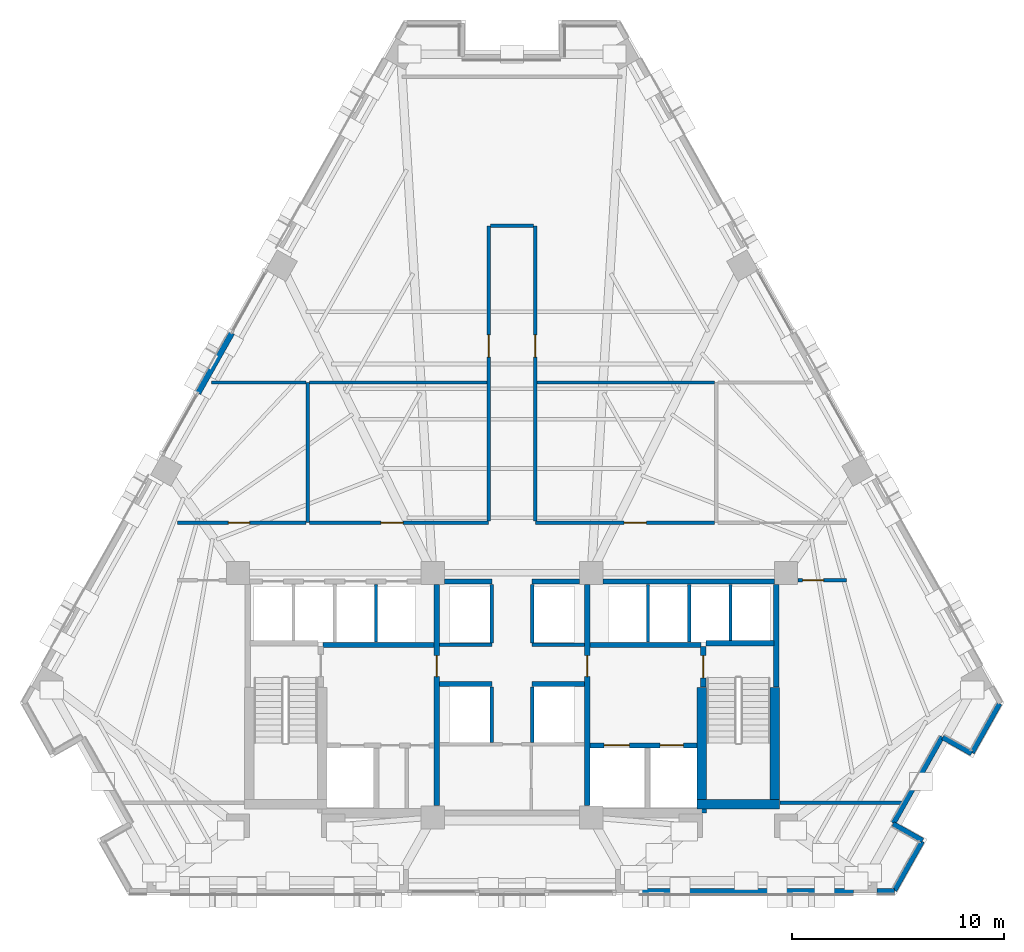
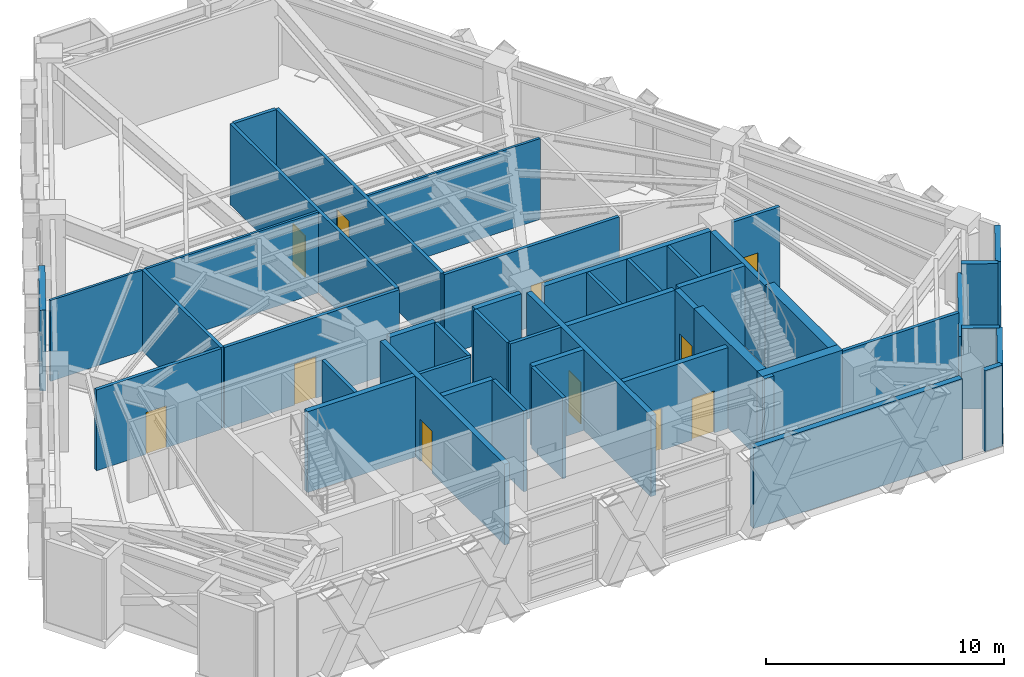
# One storey, part 7 of 12: 46 walls, 11 doors, 11 openings.
"""IFC4 building model written with IfcOpenShell, lengths in metres."""

from ifc_helpers import new_model, si_unit, direction, frame, frame_2d, origin, place, context, subcontext, project, spatial, rectangle, extrude, material, layer, layer_set, type_object, element, fill, save


model = new_model("IFC4")

# Units and contexts
model_context = context("Model", 3, precision=1e-05, world=origin(), true_north=direction((0.0, 1.0)))
body_context = subcontext(model_context, "Body", "Model", "MODEL_VIEW")
ifc_project = project(units=[si_unit("LENGTHUNIT", "METRE"), si_unit("AREAUNIT", "SQUARE_METRE"), si_unit("VOLUMEUNIT", "CUBIC_METRE"), si_unit("PLANEANGLEUNIT", "RADIAN"), si_unit("MASSUNIT", "GRAM", prefix="KILO")], contexts=[model_context])

# Site, building, storey
site_placement = place(None, origin())
site = spatial("IfcSite", under=ifc_project, at=site_placement, CompositionType="ELEMENT")
building_placement = place(site_placement, origin())
building = spatial("IfcBuilding", under=site, at=building_placement, Name="Quenlor Broadcast Tower", CompositionType="ELEMENT")
storey_placement = place(building_placement, frame((0.0, 0.0, 90.60009765625)))
storey = spatial("IfcBuildingStorey", under=building, at=storey_placement, Name="L24", CompositionType="ELEMENT", Elevation=90.60009765625)

# Walls
ifc_material_1 = material(Name="Concrete C50/60", Category="concrete")
ifc_layer_1 = layer(ifc_material_1, 0.449951171875)
ifc_layer_set_1 = layer_set([ifc_layer_1], Name="Core Concrete C50/60 Shear Wall 450")
wall_type_1 = type_object("IfcWallType", Name="Core Concrete C50/60 Shear Wall 450", PredefinedType="SHEAR", material=ifc_layer_set_1)
wall_1_placement = place(storey_placement, frame((8.75, -15.72509765625, 0.0), z_axis=(0.0, 0.0, 1.0), x_axis=(1.0, 0.0, 0.0)))
element("IfcWall", 1, at=wall_1_placement, inside=storey, type_object=wall_type_1, Name="L24 Core Shear Wall WS-E2", PredefinedType="SHEAR", context=body_context, shape_type="SweptSolid", body=[
    extrude(rectangle(XDim=3.89990234375, YDim=0.449951171875, at=frame_2d((1.949951171875, 0.0))), origin(), (0.0, 0.0, 1.0), 4.39990234375),
])
wall_2_placement = place(storey_placement, frame((12.425048828125, -15.72509765625, 0.0), z_axis=(0.0, 0.0, 1.0), x_axis=(0.0, 1.0, 0.0)))
element("IfcWall", 2, at=wall_2_placement, inside=storey, type_object=wall_type_1, Name="L24 Core Shear Wall WF-E", PredefinedType="SHEAR", context=body_context, shape_type="SweptSolid", body=[
    extrude(rectangle(XDim=5.525146484375, YDim=0.449951171875, at=frame_2d((2.7626953125, 0.0))), origin(), (0.0, 0.0, 1.0), 4.39990234375),
])
wall_3_placement = place(storey_placement, frame((8.97509765625, -16.14990234375, 0.0), z_axis=(0.0, 0.0, 1.0), x_axis=(0.0, 1.0, 0.0)))
element("IfcWall", 3, at=wall_3_placement, inside=storey, type_object=wall_type_1, Name="L24 Core Shear Wall WI-E", PredefinedType="SHEAR", context=body_context, shape_type="SweptSolid", body=[
    extrude(rectangle(XDim=5.949951171875, YDim=0.449951171875, at=frame_2d((2.97509765625, 0.0))), origin(), (0.0, 0.0, 1.0), 4.39990234375),
])

# Wall, opening, door
ifc_material_2 = material(Name="Concrete C40/50", Category="concrete")
ifc_layer_2 = layer(ifc_material_2, 0.25)
ifc_layer_set_2 = layer_set([ifc_layer_2], Name="Fire Rated Concrete C40/50 Core Wall 250")
wall_type_2 = type_object("IfcWallType", Name="Fire Rated Concrete C40/50 Core Wall 250", PredefinedType="PARTITIONING", material=ifc_layer_set_2)
wall_4_placement = place(storey_placement, frame((9.0400390625, -10.179931640625, 0.0), z_axis=(0.0, 0.0, 1.0), x_axis=(0.0, 1.0, 0.0)))
wall_4 = element("IfcWall", 4, at=wall_4_placement, inside=storey, type_object=wall_type_2, Name="L24 Interior Wall CW-ST2-DR", PredefinedType="PARTITIONING", context=body_context, shape_type="SweptSolid", body=[
    extrude(rectangle(XDim=1.89990234375, YDim=0.25, at=frame_2d((0.949951171875, 0.0))), origin(), (0.0, 0.0, 1.0), 4.14990234375),
])
opening_1_placement = place(wall_4_placement, frame((0.419921875, 0.0, 0.0)))
opening_1 = element("IfcOpeningElement", 5, at=opening_1_placement, cuts=wall_4, Name="Opening FD-1", PredefinedType="OPENING", context=body_context, shape_type="SweptSolid", body=[
    extrude(rectangle(XDim=1.050048828125, YDim=2.14990234375, at=frame_2d((0.52490234375, 1.074951171875))), frame((0.0, 0.135009765625, 0.0), z_axis=(0.0, -1.0, 0.0), x_axis=(1.0, 0.0, 0.0)), (0.0, 0.0, 1.0), 0.27001953125),
])
ifc_material_3 = material(Name="Fire Rated Steel Door Leaf", Category="steel")
door_type_1 = type_object("IfcDoorType", Name="Fire Isolated Stair Door 1050x2150", OperationType="NOTDEFINED", PredefinedType="DOOR", material=ifc_material_3)
door_1_placement = place(opening_1_placement, origin())
door_1 = element("IfcDoor", 6, at=door_1_placement, inside=storey, type_object=door_type_1, Name="L24 Door DR-ST2", OperationType="SINGLE_SWING_RIGHT", OverallHeight=2.14990234375, OverallWidth=1.050048828125, PredefinedType="DOOR", context=body_context, shape_type="SweptSolid", body=[
    extrude(rectangle(XDim=1.050048828125, YDim=2.14990234375, at=frame_2d((0.52490234375, 1.074951171875))), frame((0.0, 0.02490234375, 0.0), z_axis=(0.0, -1.0, 0.0), x_axis=(1.0, 0.0, 0.0)), (0.0, 0.0, 1.0), 0.050048828125),
])
fill(opening_1, door_1)

# Walls
wall_5_placement = place(storey_placement, frame((9.159912109375, -8.1201171875, 0.0), z_axis=(0.0, 0.0, 1.0), x_axis=(1.0, 0.0, 0.0)))
element("IfcWall", 7, at=wall_5_placement, inside=storey, type_object=wall_type_2, Name="L24 Interior Wall CW-ST2-N", PredefinedType="PARTITIONING", context=body_context, shape_type="SweptSolid", body=[
    extrude(rectangle(XDim=3.219970703125, YDim=0.25, at=frame_2d((1.60986328125, 0.0))), origin(), (0.0, 0.0, 1.0), 4.14990234375),
])
wall_6_placement = place(storey_placement, frame((12.47998046875, -10.179931640625, 0.0), z_axis=(0.0, 0.0, 1.0), x_axis=(0.0, 1.0, 0.0)))
element("IfcWall", 8, at=wall_6_placement, inside=storey, type_object=wall_type_2, Name="L24 Interior Wall CW-ST2-E2", PredefinedType="PARTITIONING", context=body_context, shape_type="SweptSolid", body=[
    extrude(rectangle(XDim=4.827880859375, YDim=0.25, at=frame_2d((2.4140625, 0.0))), origin(), (0.0, 0.0, 1.0), 4.14990234375),
])

# Wall, openings, doors
wall_7_placement = place(storey_placement, frame((3.679931640625, -12.949951171875, 0.0), z_axis=(0.0, 0.0, 1.0), x_axis=(1.0, 0.0, 0.0)))
wall_7 = element("IfcWall", 9, at=wall_7_placement, inside=storey, type_object=wall_type_2, Name="L24 Interior Wall CW-FFE-S", PredefinedType="PARTITIONING", context=body_context, shape_type="SweptSolid", body=[
    extrude(rectangle(XDim=5.068115234375, YDim=0.25, at=frame_2d((2.5341796875, 0.0))), origin(), (0.0, 0.0, 1.0), 4.14990234375),
])
opening_2_placement = place(wall_7_placement, frame((3.320068359375, 0.0, 0.0)))
opening_2 = element("IfcOpeningElement", 10, at=opening_2_placement, cuts=wall_7, Name="Opening LD-FFL-2", PredefinedType="OPENING", context=body_context, shape_type="SweptSolid", body=[
    extrude(rectangle(XDim=1.10009765625, YDim=2.14990234375, at=frame_2d((0.550048828125, 1.074951171875))), frame((0.0, 0.135009765625, 0.0), z_axis=(0.0, -1.0, 0.0), x_axis=(1.0, 0.0, 0.0)), (0.0, 0.0, 1.0), 0.27001953125),
])
opening_3_placement = place(wall_7_placement, frame((0.669921875, 0.0, 0.0)))
opening_3 = element("IfcOpeningElement", 11, at=opening_3_placement, cuts=wall_7, Name="Opening LD-SVL-1", PredefinedType="OPENING", context=body_context, shape_type="SweptSolid", body=[
    extrude(rectangle(XDim=1.199951171875, YDim=2.14990234375, at=frame_2d((0.60009765625, 1.074951171875))), frame((0.0, 0.135009765625, 0.0), z_axis=(0.0, -1.0, 0.0), x_axis=(1.0, 0.0, 0.0)), (0.0, 0.0, 1.0), 0.27001953125),
])
ifc_material_4 = material(Name="Brushed Stainless Steel", Category="steel")
door_type_2 = type_object("IfcDoorType", Name="Emergency Lift Sliding Landing Door 1100x2150", OperationType="NOTDEFINED", PredefinedType="DOOR", material=ifc_material_4)
door_2_placement = place(opening_2_placement, origin())
door_2 = element("IfcDoor", 12, at=door_2_placement, inside=storey, type_object=door_type_2, Name="L24 Door LD-FFL-2", OperationType="SLIDING_TO_RIGHT", OverallHeight=2.14990234375, OverallWidth=1.10009765625, PredefinedType="DOOR", context=body_context, shape_type="SweptSolid", body=[
    extrude(rectangle(XDim=1.10009765625, YDim=2.14990234375, at=frame_2d((0.550048828125, 1.074951171875))), frame((0.0, 0.02490234375, 0.0), z_axis=(0.0, -1.0, 0.0), x_axis=(1.0, 0.0, 0.0)), (0.0, 0.0, 1.0), 0.050048828125),
])
fill(opening_2, door_2)
ifc_material_5 = material(Name="Brushed Stainless Steel", Category="steel")
door_type_3 = type_object("IfcDoorType", Name="Goods Lift Sliding Landing Door 1200x2150", OperationType="NOTDEFINED", PredefinedType="DOOR", material=ifc_material_5)
door_3_placement = place(opening_3_placement, origin())
door_3 = element("IfcDoor", 13, at=door_3_placement, inside=storey, type_object=door_type_3, Name="L24 Door LD-SVL-1", OperationType="SLIDING_TO_LEFT", OverallHeight=2.14990234375, OverallWidth=1.199951171875, PredefinedType="DOOR", context=body_context, shape_type="SweptSolid", body=[
    extrude(rectangle(XDim=1.199951171875, YDim=2.14990234375, at=frame_2d((0.60009765625, 1.074951171875))), frame((0.0, 0.02490234375, 0.0), z_axis=(0.0, -1.0, 0.0), x_axis=(1.0, 0.0, 0.0)), (0.0, 0.0, 1.0), 0.050048828125),
])
fill(opening_3, door_3)

# Walls
for number, where, z_axis, x_axis, name in (
    (14, (-8.919921875, -8.199951171875, 0.0), (0.0, 0.0, 1.0), (1.0, 0.0, 0.0), "L24 Interior Wall CW-FFW-N"),
    (15, (3.679931640625, -8.199951171875, 0.0), (0.0, 0.0, 1.0), (1.0, 0.0, 0.0), "L24 Interior Wall CW-FFE-N"),
):
    element("IfcWall", number, at=place(storey_placement, frame(where, z_axis=z_axis, x_axis=x_axis)), inside=storey, type_object=wall_type_2, Name=name, PredefinedType="PARTITIONING", context=body_context, shape_type="SweptSolid", body=[
        extrude(rectangle(XDim=5.239990234375, YDim=0.25, at=frame_2d((2.6201171875, 0.0))), origin(), (0.0, 0.0, 1.0), 4.14990234375),
    ])

# Wall, opening, door
wall_8_placement = place(storey_placement, frame((-3.550048828125, -15.798095703125, 0.0), z_axis=(0.0, 0.0, 1.0), x_axis=(0.0, 1.0, 0.0)))
wall_8 = element("IfcWall", 16, at=wall_8_placement, inside=storey, type_object=wall_type_2, Name="L24 Interior Wall CW-FFW-E", PredefinedType="PARTITIONING", context=body_context, shape_type="SweptSolid", body=[
    extrude(rectangle(XDim=10.446044921875, YDim=0.25, at=frame_2d((5.22314453125, 0.0))), origin(), (0.0, 0.0, 1.0), 4.14990234375),
])
opening_4_placement = place(wall_8_placement, frame((6.097900390625, 0.0, 0.0)))
opening_4 = element("IfcOpeningElement", 17, at=opening_4_placement, cuts=wall_8, Name="Opening FD-2", PredefinedType="OPENING", context=body_context, shape_type="SweptSolid", body=[
    extrude(rectangle(XDim=1.0, YDim=2.14990234375, at=frame_2d((0.5, 1.074951171875))), frame((0.0, 0.135009765625, 0.0), z_axis=(0.0, -1.0, 0.0), x_axis=(1.0, 0.0, 0.0)), (0.0, 0.0, 1.0), 0.27001953125),
])
ifc_material_6 = material(Name="Fire Rated Glazed Steel Door", Category="steel")
door_type_4 = type_object("IfcDoorType", Name="Firefighting Lobby Smoke Door 1000x2150", OperationType="NOTDEFINED", PredefinedType="DOOR", material=ifc_material_6)
door_4_placement = place(opening_4_placement, origin())
door_4 = element("IfcDoor", 18, at=door_4_placement, inside=storey, type_object=door_type_4, Name="L24 Door DR-FFLW", OperationType="SINGLE_SWING_RIGHT", OverallHeight=2.14990234375, OverallWidth=1.0, PredefinedType="DOOR", context=body_context, shape_type="SweptSolid", body=[
    extrude(rectangle(XDim=1.0, YDim=2.14990234375, at=frame_2d((0.5, 1.074951171875))), frame((0.0, 0.02490234375, 0.0), z_axis=(0.0, -1.0, 0.0), x_axis=(1.0, 0.0, 0.0)), (0.0, 0.0, 1.0), 0.050048828125),
])
fill(opening_4, door_4)

wall_9_placement = place(storey_placement, frame((3.550048828125, -15.798095703125, 0.0), z_axis=(0.0, 0.0, 1.0), x_axis=(0.0, 1.0, 0.0)))
wall_9 = element("IfcWall", 19, at=wall_9_placement, inside=storey, type_object=wall_type_2, Name="L24 Interior Wall CW-FFE-W", PredefinedType="PARTITIONING", context=body_context, shape_type="SweptSolid", body=[
    extrude(rectangle(XDim=10.446044921875, YDim=0.25, at=frame_2d((5.22314453125, 0.0))), origin(), (0.0, 0.0, 1.0), 4.14990234375),
])
opening_5_placement = place(wall_9_placement, frame((6.097900390625, 0.0, 0.0)))
opening_5 = element("IfcOpeningElement", 20, at=opening_5_placement, cuts=wall_9, Name="Opening FD-2", PredefinedType="OPENING", context=body_context, shape_type="SweptSolid", body=[
    extrude(rectangle(XDim=1.0, YDim=2.14990234375, at=frame_2d((0.5, 1.074951171875))), frame((0.0, 0.135009765625, 0.0), z_axis=(0.0, -1.0, 0.0), x_axis=(1.0, 0.0, 0.0)), (0.0, 0.0, 1.0), 0.27001953125),
])
door_5_placement = place(opening_5_placement, origin())
door_5 = element("IfcDoor", 21, at=door_5_placement, inside=storey, type_object=door_type_4, Name="L24 Door DR-FFLE", OperationType="SINGLE_SWING_LEFT", OverallHeight=2.14990234375, OverallWidth=1.0, PredefinedType="DOOR", context=body_context, shape_type="SweptSolid", body=[
    extrude(rectangle(XDim=1.0, YDim=2.14990234375, at=frame_2d((0.5, 1.074951171875))), frame((0.0, 0.02490234375, 0.0), z_axis=(0.0, -1.0, 0.0), x_axis=(1.0, 0.0, 0.0)), (0.0, 0.0, 1.0), 0.050048828125),
])
fill(opening_5, door_5)

# Walls
wall_10_placement = place(storey_placement, frame((4.302001953125, -5.199951171875, 0.0), z_axis=(0.0, 0.0, 1.0), x_axis=(1.0, 0.0, 0.0)))
element("IfcWall", 22, at=wall_10_placement, inside=storey, type_object=wall_type_2, Name="L24 Interior Wall CW-N-E", PredefinedType="PARTITIONING", context=body_context, shape_type="SweptSolid", body=[
    extrude(rectangle(XDim=8.095947265625, YDim=0.25, at=frame_2d((4.0478515625, 0.0))), origin(), (0.0, 0.0, 1.0), 4.14990234375),
])
for number, where, z_axis, x_axis, name in (
    (23, (-3.197998046875, -5.199951171875, 0.0), (0.0, 0.0, 1.0), (1.0, 0.0, 0.0), "L24 Interior Wall CW-N-M1"),
    (24, (0.949951171875, -5.199951171875, 0.0), (0.0, 0.0, 1.0), (1.0, 0.0, 0.0), "L24 Interior Wall CW-N-M2"),
):
    element("IfcWall", number, at=place(storey_placement, frame(where, z_axis=z_axis, x_axis=x_axis)), inside=storey, type_object=wall_type_2, Name=name, PredefinedType="PARTITIONING", context=body_context, shape_type="SweptSolid", body=[
        extrude(rectangle(XDim=2.248046875, YDim=0.25, at=frame_2d((1.1240234375, 0.0))), origin(), (0.0, 0.0, 1.0), 4.14990234375),
    ])
for number, where, z_axis, x_axis, name in (
    (25, (-3.419921875, -10.050048828125, 0.0), (0.0, 0.0, 1.0), (1.0, 0.0, 0.0), "L24 Interior Wall CW-MS-N1"),
    (26, (0.949951171875, -10.050048828125, 0.0), (0.0, 0.0, 1.0), (1.0, 0.0, 0.0), "L24 Interior Wall CW-MS-N2"),
):
    element("IfcWall", number, at=place(storey_placement, frame(where, z_axis=z_axis, x_axis=x_axis)), inside=storey, type_object=wall_type_2, Name=name, PredefinedType="PARTITIONING", context=body_context, shape_type="SweptSolid", body=[
        extrude(rectangle(XDim=2.469970703125, YDim=0.25, at=frame_2d((1.23486328125, 0.0))), origin(), (0.0, 0.0, 1.0), 4.14990234375),
    ])
ifc_material_7 = material(Name="Gypsum Fireboard Partition", Category="other")
ifc_layer_3 = layer(ifc_material_7, 0.159912109375)
ifc_layer_set_3 = layer_set([ifc_layer_3], Name="Fire Rated Shaft and Corridor Partition 160")
wall_type_3 = type_object("IfcWallType", Name="Fire Rated Shaft and Corridor Partition 160", PredefinedType="PARTITIONING", material=ifc_layer_set_3)
for number, where, z_axis, x_axis, name in (
    (27, (-6.425048828125, -8.072998046875, 0.0), (0.0, 0.0, 1.0), (0.0, 1.0, 0.0), "L24 Interior Wall CW-PLL-D3"),
    (28, (6.425048828125, -8.072998046875, 0.0), (0.0, 0.0, 1.0), (0.0, 1.0, 0.0), "L24 Interior Wall CW-PLH-D1"),
    (29, (8.375, -8.072998046875, 0.0), (0.0, 0.0, 1.0), (0.0, 1.0, 0.0), "L24 Interior Wall CW-PLH-D2"),
):
    element("IfcWall", number, at=place(storey_placement, frame(where, z_axis=z_axis, x_axis=x_axis)), inside=storey, type_object=wall_type_3, Name=name, PredefinedType="PARTITIONING", context=body_context, shape_type="SweptSolid", body=[
        extrude(rectangle(XDim=2.73291015625, YDim=0.159912109375, at=frame_2d((1.366455078125, 0.0))), origin(), (0.0, 0.0, 1.0), 4.14990234375),
    ])
wall_11_placement = place(storey_placement, frame((10.324951171875, -7.992919921875, 0.0), z_axis=(0.0, 0.0, 1.0), x_axis=(0.0, 1.0, 0.0)))
element("IfcWall", 30, at=wall_11_placement, inside=storey, type_object=wall_type_3, Name="L24 Interior Wall CW-PLH-D3", PredefinedType="PARTITIONING", context=body_context, shape_type="SweptSolid", body=[
    extrude(rectangle(XDim=2.65283203125, YDim=0.159912109375, at=frame_2d((1.326416015625, 0.0))), origin(), (0.0, 0.0, 1.0), 4.14990234375),
])
for number, where, z_axis, x_axis, name in (
    (31, (-0.949951171875, -8.1201171875, 0.0), (0.0, 0.0, 1.0), (0.0, 1.0, 0.0), "L24 Interior Wall CW-CCRP-W"),
    (32, (0.949951171875, -8.1201171875, 0.0), (0.0, 0.0, 1.0), (0.0, 1.0, 0.0), "L24 Interior Wall CW-CCRP-E"),
):
    element("IfcWall", number, at=place(storey_placement, frame(where, z_axis=z_axis, x_axis=x_axis)), inside=storey, type_object=wall_type_3, Name=name, PredefinedType="PARTITIONING", context=body_context, shape_type="SweptSolid", body=[
        extrude(rectangle(XDim=2.780029296875, YDim=0.159912109375, at=frame_2d((1.39013671875, 0.0))), origin(), (0.0, 0.0, 1.0), 4.14990234375),
    ])
for number, where, z_axis, x_axis, name in (
    (33, (-3.419921875, -8.199951171875, 0.0), (0.0, 0.0, 1.0), (1.0, 0.0, 0.0), "L24 Interior Wall CW-M-BACK1"),
    (34, (0.949951171875, -8.199951171875, 0.0), (0.0, 0.0, 1.0), (1.0, 0.0, 0.0), "L24 Interior Wall CW-M-BACK2"),
):
    element("IfcWall", number, at=place(storey_placement, frame(where, z_axis=z_axis, x_axis=x_axis)), inside=storey, type_object=wall_type_3, Name=name, PredefinedType="PARTITIONING", context=body_context, shape_type="SweptSolid", body=[
        extrude(rectangle(XDim=2.469970703125, YDim=0.159912109375, at=frame_2d((1.23486328125, 0.0))), origin(), (0.0, 0.0, 1.0), 4.14990234375),
    ])
for number, where, z_axis, x_axis, name in (
    (35, (-0.949951171875, -12.818115234375, 0.0), (0.0, 0.0, 1.0), (0.0, 1.0, 0.0), "L24 Interior Wall CW-MS-W"),
    (36, (0.949951171875, -12.818115234375, 0.0), (0.0, 0.0, 1.0), (0.0, 1.0, 0.0), "L24 Interior Wall CW-MS-E"),
):
    element("IfcWall", number, at=place(storey_placement, frame(where, z_axis=z_axis, x_axis=x_axis)), inside=storey, type_object=wall_type_3, Name=name, PredefinedType="PARTITIONING", context=body_context, shape_type="SweptSolid", body=[
        extrude(rectangle(XDim=2.63818359375, YDim=0.159912109375, at=frame_2d((1.319091796875, 0.0))), origin(), (0.0, 0.0, 1.0), 4.14990234375),
    ])
wall_12_placement = place(storey_placement, frame((-9.659912109375, -2.419921875, 0.0), z_axis=(0.0, 0.0, 1.0), x_axis=(0.0, 1.0, 0.0)))
element("IfcWall", 37, at=wall_12_placement, inside=storey, type_object=wall_type_3, Name="L24 Interior Wall PW-RF-NMW", PredefinedType="PARTITIONING", context=body_context, shape_type="SweptSolid", body=[
    extrude(rectangle(XDim=6.619873046875, YDim=0.159912109375, at=frame_2d((3.31005859375, 0.0))), origin(), (0.0, 0.0, 1.0), 4.14990234375),
])
wall_13_placement = place(storey_placement, frame((12.652099609375, -15.64990234375, 0.0), z_axis=(0.0, 0.0, 1.0), x_axis=(1.0, 0.0, 0.0)))
element("IfcWall", 38, at=wall_13_placement, inside=storey, type_object=wall_type_3, Name="L24 Interior Wall PW-PL-SBOTE", PredefinedType="PARTITIONING", context=body_context, shape_type="SweptSolid", body=[
    extrude(rectangle(XDim=5.779296875, YDim=0.159912109375, at=frame_2d((2.8896484375, 0.0))), origin(), (0.0, 0.0, 1.0), 4.14990234375),
])

# Wall, opening, door
wall_14_placement = place(storey_placement, frame((-15.800048828125, -2.419921875, 0.0), z_axis=(0.0, 0.0, 1.0), x_axis=(1.0, 0.0, 0.0)))
wall_14 = element("IfcWall", 39, at=wall_14_placement, inside=storey, type_object=wall_type_3, Name="L24 Interior Wall PW-PL-HW", PredefinedType="PARTITIONING", context=body_context, shape_type="SweptSolid", body=[
    extrude(rectangle(XDim=6.05810546875, YDim=0.159912109375, at=frame_2d((3.029052734375, 0.0))), origin(), (0.0, 0.0, 1.0), 4.14990234375),
])
opening_6_placement = place(wall_14_placement, frame((2.39990234375, 0.0, 0.0)))
opening_6 = element("IfcOpeningElement", 40, at=opening_6_placement, cuts=wall_14, Name="Opening FD-2", PredefinedType="OPENING", context=body_context, shape_type="SweptSolid", body=[
    extrude(rectangle(XDim=1.0, YDim=2.14990234375, at=frame_2d((0.5, 1.074951171875))), frame((0.0, 0.08984375, 0.0), z_axis=(0.0, -1.0, 0.0), x_axis=(1.0, 0.0, 0.0)), (0.0, 0.0, 1.0), 0.179931640625),
])
door_6_placement = place(opening_6_placement, origin())
door_6 = element("IfcDoor", 41, at=door_6_placement, inside=storey, type_object=door_type_4, Name="L24 Door DR-REFW2", OperationType="SINGLE_SWING_LEFT", OverallHeight=2.14990234375, OverallWidth=1.0, PredefinedType="DOOR", context=body_context, shape_type="SweptSolid", body=[
    extrude(rectangle(XDim=1.0, YDim=2.14990234375, at=frame_2d((0.5, 1.074951171875))), frame((0.0, 0.02490234375, 0.0), z_axis=(0.0, -1.0, 0.0), x_axis=(1.0, 0.0, 0.0)), (0.0, 0.0, 1.0), 0.050048828125),
])
fill(opening_6, door_6)

wall_15_placement = place(storey_placement, frame((-9.577880859375, -2.419921875, 0.0), z_axis=(0.0, 0.0, 1.0), x_axis=(1.0, 0.0, 0.0)))
wall_15 = element("IfcWall", 42, at=wall_15_placement, inside=storey, type_object=wall_type_3, Name="L24 Interior Wall PW-PL-HWS2", PredefinedType="PARTITIONING", context=body_context, shape_type="SweptSolid", body=[
    extrude(rectangle(XDim=8.477783203125, YDim=0.159912109375, at=frame_2d((4.23876953125, 0.0))), origin(), (0.0, 0.0, 1.0), 4.14990234375),
])
opening_7_placement = place(wall_15_placement, frame((3.3779296875, 0.0, 0.0)))
opening_7 = element("IfcOpeningElement", 43, at=opening_7_placement, cuts=wall_15, Name="Opening FD-3", PredefinedType="OPENING", context=body_context, shape_type="SweptSolid", body=[
    extrude(rectangle(XDim=1.050048828125, YDim=2.1201171875, at=frame_2d((0.52490234375, 1.06005859375))), frame((0.0, 0.08984375, 0.0), z_axis=(0.0, -1.0, 0.0), x_axis=(1.0, 0.0, 0.0)), (0.0, 0.0, 1.0), 0.179931640625),
])
ifc_material_8 = material(Name="Galvanised Fire Steel Leaf", Category="steel")
door_type_5 = type_object("IfcDoorType", Name="Plant Room Fire Rated Door 1050x2120", OperationType="NOTDEFINED", PredefinedType="DOOR", material=ifc_material_8)
door_7_placement = place(opening_7_placement, origin())
door_7 = element("IfcDoor", 44, at=door_7_placement, inside=storey, type_object=door_type_5, Name="L24 Door DR-PLT1", OperationType="SINGLE_SWING_LEFT", OverallHeight=2.1201171875, OverallWidth=1.050048828125, PredefinedType="DOOR", context=body_context, shape_type="SweptSolid", body=[
    extrude(rectangle(XDim=1.050048828125, YDim=2.1201171875, at=frame_2d((0.52490234375, 1.06005859375))), frame((0.0, 0.02490234375, 0.0), z_axis=(0.0, -1.0, 0.0), x_axis=(1.0, 0.0, 0.0)), (0.0, 0.0, 1.0), 0.050048828125),
])
fill(opening_7, door_7)

wall_16_placement = place(storey_placement, frame((1.10009765625, -2.419921875, 0.0), z_axis=(0.0, 0.0, 1.0), x_axis=(1.0, 0.0, 0.0)))
wall_16 = element("IfcWall", 45, at=wall_16_placement, inside=storey, type_object=wall_type_3, Name="L24 Interior Wall PW-PL-HE", PredefinedType="PARTITIONING", context=body_context, shape_type="SweptSolid", body=[
    extrude(rectangle(XDim=8.477783203125, YDim=0.159912109375, at=frame_2d((4.23876953125, 0.0))), origin(), (0.0, 0.0, 1.0), 4.14990234375),
])
opening_8_placement = place(wall_16_placement, frame((4.199951171875, 0.0, 0.0)))
opening_8 = element("IfcOpeningElement", 46, at=opening_8_placement, cuts=wall_16, Name="Opening FD-3", PredefinedType="OPENING", context=body_context, shape_type="SweptSolid", body=[
    extrude(rectangle(XDim=1.050048828125, YDim=2.1201171875, at=frame_2d((0.52490234375, 1.06005859375))), frame((0.0, 0.08984375, 0.0), z_axis=(0.0, -1.0, 0.0), x_axis=(1.0, 0.0, 0.0)), (0.0, 0.0, 1.0), 0.179931640625),
])
door_8_placement = place(opening_8_placement, origin())
door_8 = element("IfcDoor", 47, at=door_8_placement, inside=storey, type_object=door_type_5, Name="L24 Door DR-PLT2", OperationType="SINGLE_SWING_RIGHT", OverallHeight=2.1201171875, OverallWidth=1.050048828125, PredefinedType="DOOR", context=body_context, shape_type="SweptSolid", body=[
    extrude(rectangle(XDim=1.050048828125, YDim=2.1201171875, at=frame_2d((0.52490234375, 1.06005859375))), frame((0.0, 0.02490234375, 0.0), z_axis=(0.0, -1.0, 0.0), x_axis=(1.0, 0.0, 0.0)), (0.0, 0.0, 1.0), 0.050048828125),
])
fill(opening_8, door_8)

wall_17_placement = place(storey_placement, frame((-1.10009765625, -2.337890625, 0.0), z_axis=(0.0, 0.0, 1.0), x_axis=(0.0, 1.0, 0.0)))
wall_17 = element("IfcWall", 48, at=wall_17_placement, inside=storey, type_object=wall_type_3, Name="L24 Interior Wall PW-PL-SW", PredefinedType="PARTITIONING", context=body_context, shape_type="SweptSolid", body=[
    extrude(rectangle(XDim=13.93798828125, YDim=0.159912109375, at=frame_2d((6.968994140625, 0.0))), origin(), (0.0, 0.0, 1.0), 4.14990234375),
])
opening_9_placement = place(wall_17_placement, frame((7.738037109375, 0.0, 0.0)))
opening_9 = element("IfcOpeningElement", 49, at=opening_9_placement, cuts=wall_17, Name="Opening FD-3", PredefinedType="OPENING", context=body_context, shape_type="SweptSolid", body=[
    extrude(rectangle(XDim=1.050048828125, YDim=2.1201171875, at=frame_2d((0.52490234375, 1.06005859375))), frame((0.0, 0.08984375, 0.0), z_axis=(0.0, -1.0, 0.0), x_axis=(1.0, 0.0, 0.0)), (0.0, 0.0, 1.0), 0.179931640625),
])
door_9_placement = place(opening_9_placement, origin())
door_9 = element("IfcDoor", 50, at=door_9_placement, inside=storey, type_object=door_type_5, Name="L24 Door DR-PLT3", OperationType="SINGLE_SWING_LEFT", OverallHeight=2.1201171875, OverallWidth=1.050048828125, PredefinedType="DOOR", context=body_context, shape_type="SweptSolid", body=[
    extrude(rectangle(XDim=1.050048828125, YDim=2.1201171875, at=frame_2d((0.52490234375, 1.06005859375))), frame((0.0, 0.02490234375, 0.0), z_axis=(0.0, -1.0, 0.0), x_axis=(1.0, 0.0, 0.0)), (0.0, 0.0, 1.0), 0.050048828125),
])
fill(opening_9, door_9)

wall_18_placement = place(storey_placement, frame((1.10009765625, -2.337890625, 0.0), z_axis=(0.0, 0.0, 1.0), x_axis=(0.0, 1.0, 0.0)))
wall_18 = element("IfcWall", 51, at=wall_18_placement, inside=storey, type_object=wall_type_3, Name="L24 Interior Wall PW-PL-SE", PredefinedType="PARTITIONING", context=body_context, shape_type="SweptSolid", body=[
    extrude(rectangle(XDim=13.93798828125, YDim=0.159912109375, at=frame_2d((6.968994140625, 0.0))), origin(), (0.0, 0.0, 1.0), 4.14990234375),
])
opening_10_placement = place(wall_18_placement, frame((7.738037109375, 0.0, 0.0)))
opening_10 = element("IfcOpeningElement", 52, at=opening_10_placement, cuts=wall_18, Name="Opening FD-3", PredefinedType="OPENING", context=body_context, shape_type="SweptSolid", body=[
    extrude(rectangle(XDim=1.050048828125, YDim=2.1201171875, at=frame_2d((0.52490234375, 1.06005859375))), frame((0.0, 0.08984375, 0.0), z_axis=(0.0, -1.0, 0.0), x_axis=(1.0, 0.0, 0.0)), (0.0, 0.0, 1.0), 0.179931640625),
])
door_10_placement = place(opening_10_placement, origin())
door_10 = element("IfcDoor", 53, at=door_10_placement, inside=storey, type_object=door_type_5, Name="L24 Door DR-PLT4", OperationType="SINGLE_SWING_RIGHT", OverallHeight=2.1201171875, OverallWidth=1.050048828125, PredefinedType="DOOR", context=body_context, shape_type="SweptSolid", body=[
    extrude(rectangle(XDim=1.050048828125, YDim=2.1201171875, at=frame_2d((0.52490234375, 1.06005859375))), frame((0.0, 0.02490234375, 0.0), z_axis=(0.0, -1.0, 0.0), x_axis=(1.0, 0.0, 0.0)), (0.0, 0.0, 1.0), 0.050048828125),
])
fill(opening_10, door_10)

# Wall
wall_19_placement = place(storey_placement, frame((-1.01806640625, 11.60009765625, 0.0), z_axis=(0.0, 0.0, 1.0), x_axis=(1.0, 0.0, 0.0)))
element("IfcWall", 54, at=wall_19_placement, inside=storey, type_object=wall_type_3, Name="L24 Interior Wall PW-PL-N", PredefinedType="PARTITIONING", context=body_context, shape_type="SweptSolid", body=[
    extrude(rectangle(XDim=2.0361328125, YDim=0.159912109375, at=frame_2d((1.01806640625, 0.0))), origin(), (0.0, 0.0, 1.0), 4.14990234375),
])

# Wall, opening, door
wall_20_placement = place(storey_placement, frame((13.501953125, -5.14990234375, 0.0), z_axis=(0.0, 0.0, 1.0), x_axis=(1.0, 0.0, 0.0)))
wall_20 = element("IfcWall", 55, at=wall_20_placement, inside=storey, type_object=wall_type_3, Name="L24 Interior Wall PW-RF-E", PredefinedType="PARTITIONING", context=body_context, shape_type="SweptSolid", body=[
    extrude(rectangle(XDim=2.298095703125, YDim=0.159912109375, at=frame_2d((1.14892578125, 0.0))), origin(), (0.0, 0.0, 1.0), 4.14990234375),
])
opening_11_placement = place(wall_20_placement, frame((0.22802734375, 0.0, 0.0)))
opening_11 = element("IfcOpeningElement", 56, at=opening_11_placement, cuts=wall_20, Name="Opening FD-2", PredefinedType="OPENING", context=body_context, shape_type="SweptSolid", body=[
    extrude(rectangle(XDim=1.0, YDim=2.14990234375, at=frame_2d((0.5, 1.074951171875))), frame((0.0, 0.08984375, 0.0), z_axis=(0.0, -1.0, 0.0), x_axis=(1.0, 0.0, 0.0)), (0.0, 0.0, 1.0), 0.179931640625),
])
door_11_placement = place(opening_11_placement, origin())
door_11 = element("IfcDoor", 57, at=door_11_placement, inside=storey, type_object=door_type_4, Name="L24 Door DR-REFE", OperationType="SINGLE_SWING_RIGHT", OverallHeight=2.14990234375, OverallWidth=1.0, PredefinedType="DOOR", context=body_context, shape_type="SweptSolid", body=[
    extrude(rectangle(XDim=1.0, YDim=2.14990234375, at=frame_2d((0.5, 1.074951171875))), frame((0.0, 0.02490234375, 0.0), z_axis=(0.0, -1.0, 0.0), x_axis=(1.0, 0.0, 0.0)), (0.0, 0.0, 1.0), 0.050048828125),
])
fill(opening_11, door_11)

# Walls
ifc_material_9 = material(Name="Gypsum Plasterboard Partition", Category="other")
ifc_layer_4 = layer(ifc_material_9, 0.1201171875)
ifc_layer_set_4 = layer_set([ifc_layer_4], Name="Standard Office Partition 120")
wall_type_4 = type_object("IfcWallType", Name="Standard Office Partition 120", PredefinedType="PARTITIONING", material=ifc_layer_set_4)
wall_21_placement = place(storey_placement, frame((-14.199951171875, 4.199951171875, 0.0), z_axis=(0.0, 0.0, 1.0), x_axis=(1.0, 0.0, 0.0)))
element("IfcWall", 58, at=wall_21_placement, inside=storey, type_object=wall_type_4, Name="L24 Interior Wall PW-PL-YW", PredefinedType="PARTITIONING", context=body_context, shape_type="SweptSolid", body=[
    extrude(rectangle(XDim=4.4580078125, YDim=0.1201171875, at=frame_2d((2.22900390625, 0.0))), origin(), (0.0, 0.0, 1.0), 4.14990234375),
])
for number, where, z_axis, x_axis, name in (
    (59, (-9.577880859375, 4.199951171875, 0.0), (0.0, 0.0, 1.0), (1.0, 0.0, 0.0), "L24 Interior Wall PW-PL-YWS2"),
    (60, (1.181884765625, 4.199951171875, 0.0), (0.0, 0.0, 1.0), (1.0, 0.0, 0.0), "L24 Interior Wall PW-PL-YE"),
):
    element("IfcWall", number, at=place(storey_placement, frame(where, z_axis=z_axis, x_axis=x_axis)), inside=storey, type_object=wall_type_4, Name=name, PredefinedType="PARTITIONING", context=body_context, shape_type="SweptSolid", body=[
        extrude(rectangle(XDim=8.39599609375, YDim=0.1201171875, at=frame_2d((4.197998046875, 0.0))), origin(), (0.0, 0.0, 1.0), 4.14990234375),
    ])
ifc_material_10 = material(Name="Precast concrete C40/50", Category="concrete")
ifc_layer_5 = layer(ifc_material_10, 0.239990234375)
ifc_layer_set_5 = layer_set([ifc_layer_5], Name="Terrace Threshold Precast Concrete C40/50 Wall 240")
wall_type_5 = type_object("IfcWallType", Name="Terrace Threshold Precast Concrete C40/50 Wall 240", PredefinedType="STANDARD", material=ifc_layer_set_5)
wall_22_placement = place(storey_placement, frame((18.083984375, -19.840087890625, 0.0), z_axis=(0.0, 0.0, 1.0), x_axis=(-1.0, 0.0, 0.0)))
element("IfcWall", 61, at=wall_22_placement, inside=storey, type_object=wall_type_5, Name="L24 Exterior Wall L24-SHD-SS0", PredefinedType="STANDARD", context=body_context, shape_type="SweptSolid", body=[
    extrude(rectangle(XDim=0.83642578125, YDim=0.239990234375, at=frame_2d((0.418212890625, 0.0))), origin(), (0.0, 0.0, 1.0), 4.14990234375),
])
wall_23_placement = place(storey_placement, frame((19.39892578125, -17.4423828125, 0.0), z_axis=(0.0, 0.0, 1.0), x_axis=(-0.871575537125, 0.490261239633, 0.0)))
element("IfcWall", 62, at=wall_23_placement, inside=storey, type_object=wall_type_5, Name="L24 Exterior Wall L24-CNR-01", PredefinedType="STANDARD", context=body_context, shape_type="SweptSolid", body=[
    extrude(rectangle(XDim=1.60009765625, YDim=0.239990234375, at=frame_2d((0.800048828125, 0.0))), origin(), (0.0, 0.0, 1.0), 4.14990234375),
])
wall_24_placement = place(storey_placement, frame((18.024169921875, -16.623046875, 0.0), z_axis=(0.0, 0.0, 1.0), x_axis=(0.490273623647, 0.871568571001, 0.0)))
element("IfcWall", 63, at=wall_24_placement, inside=storey, type_object=wall_type_5, Name="L24 Exterior Wall L24-CNR-02", PredefinedType="STANDARD", context=body_context, shape_type="SweptSolid", body=[
    extrude(rectangle(XDim=4.679931640625, YDim=0.239990234375, at=frame_2d((2.33984375, 0.0))), origin(), (0.0, 0.0, 1.0), 3.62158203125),
])
wall_25_placement = place(storey_placement, frame((20.353515625, -12.563720703125, 0.0), z_axis=(0.0, 0.0, 1.0), x_axis=(0.871546278971, -0.490313250496, 0.0)))
element("IfcWall", 64, at=wall_25_placement, inside=storey, type_object=wall_type_5, Name="L24 Exterior Wall L24-CNR-03", PredefinedType="STANDARD", context=body_context, shape_type="SweptSolid", body=[
    extrude(rectangle(XDim=1.56005859375, YDim=0.239990234375, at=frame_2d((0.780029296875, 0.0))), origin(), (0.0, 0.0, 1.0), 4.14990234375),
])
wall_26_placement = place(storey_placement, frame((21.732666015625, -13.293701171875, 0.0), z_axis=(0.0, 0.0, 1.0), x_axis=(0.490265590412, 0.871573089797, 0.0)))
element("IfcWall", 65, at=wall_26_placement, inside=storey, type_object=wall_type_5, Name="L24 Exterior Wall L24-CNR-04", PredefinedType="STANDARD", context=body_context, shape_type="SweptSolid", body=[
    extrude(rectangle(XDim=2.6640625, YDim=0.239990234375, at=frame_2d((1.33203125, 0.0))), origin(), (0.0, 0.0, 1.0), 4.14990234375),
])
wall_27_placement = place(storey_placement, frame((18.074951171875, -19.79638671875, 0.0), z_axis=(0.0, 0.0, 1.0), x_axis=(0.490248170584, 0.871582888335, 0.0)))
element("IfcWall", 66, at=wall_27_placement, inside=storey, type_object=wall_type_5, Name="L24 Exterior Wall L24-CNR-18", PredefinedType="STANDARD", context=body_context, shape_type="SweptSolid", body=[
    extrude(rectangle(XDim=2.660888671875, YDim=0.239990234375, at=frame_2d((1.33056640625, 0.0))), origin(), (0.0, 0.0, 1.0), 4.14990234375),
])
ifc_material_11 = material(Name="Precast concrete C40/50", Category="concrete")
ifc_layer_6 = layer(ifc_material_11, 0.280029296875)
ifc_layer_set_6 = layer_set([ifc_layer_6], Name="Terracotta Precast Concrete C40/50 Facade Wall 280")
wall_type_6 = type_object("IfcWallType", Name="Terracotta Precast Concrete C40/50 Facade Wall 280", PredefinedType="STANDARD", material=ifc_layer_set_6)
wall_28_placement = place(storey_placement, frame((16.137451171875, -19.840087890625, 0.0), z_axis=(0.0, 0.0, 1.0), x_axis=(-1.0, 0.0, 0.0)))
element("IfcWall", 67, at=wall_28_placement, inside=storey, type_object=wall_type_6, Name="L24 Exterior Wall L24-EW-SA", PredefinedType="STANDARD", context=body_context, shape_type="SweptSolid", body=[
    extrude(rectangle(XDim=10.13916015625, YDim=0.280029296875, at=frame_2d((5.069580078125, 0.0))), origin(), (0.0, 0.0, 1.0), 4.14990234375),
])
wall_29_placement = place(storey_placement, frame((-14.837890625, 3.6953125, 0.0), z_axis=(0.0, 0.0, 1.0), x_axis=(0.490303737481, 0.871551630721, 0.0)))
element("IfcWall", 68, at=wall_29_placement, inside=storey, type_object=wall_type_6, Name="L24 Exterior Wall L24-NW-SP1", PredefinedType="STANDARD", context=body_context, shape_type="SweptSolid", body=[
    extrude(rectangle(XDim=3.27294921875, YDim=0.280029296875, at=frame_2d((1.636474609375, 0.0))), origin(), (0.0, 0.0, 1.0), 4.14990234375),
])

save(model, "model.ifc")
